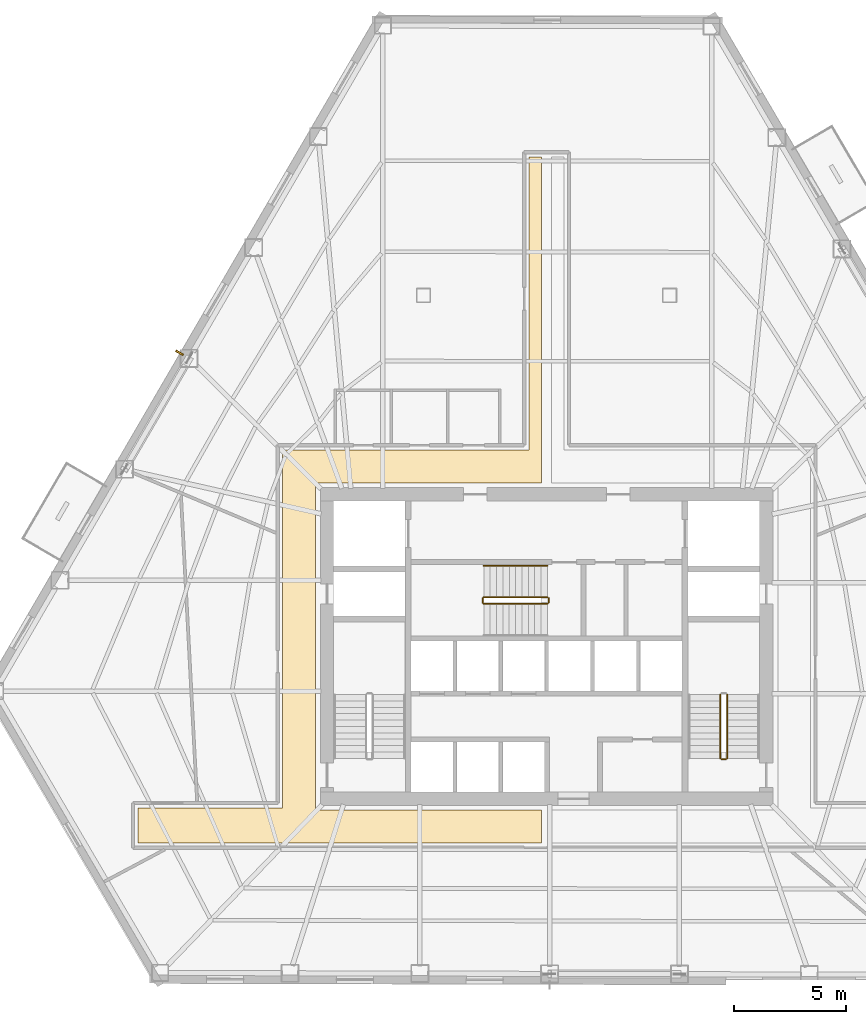
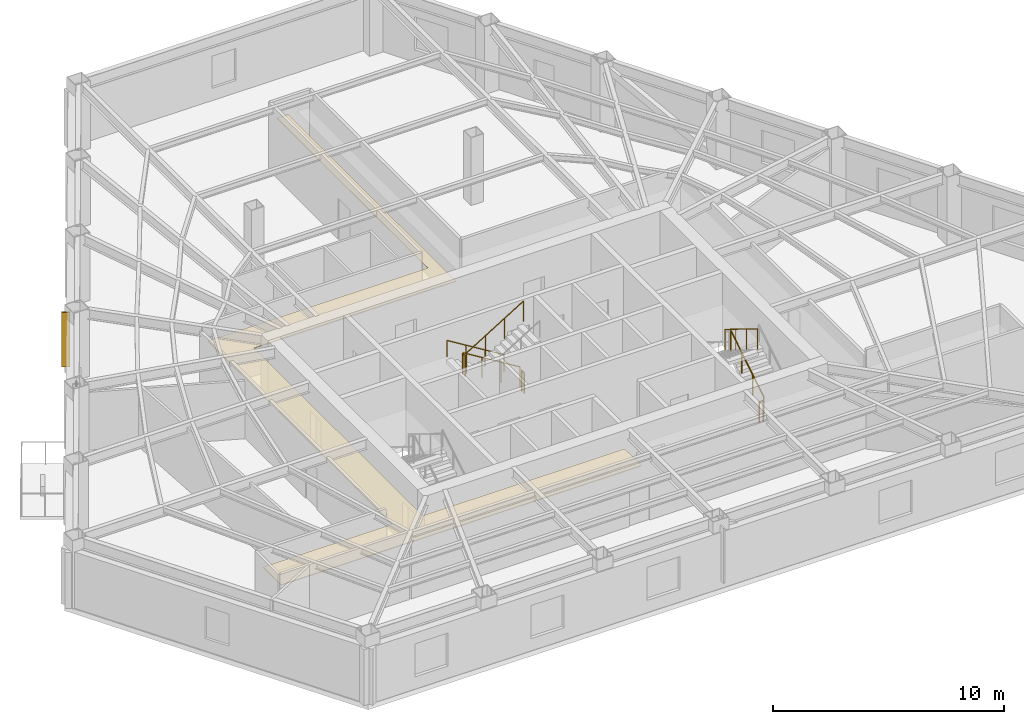
# One storey, part 10 of 11: 8 railings, 1 covering, 1 shading device.
"""IFC4 building model written with IfcOpenShell, lengths in metres."""

import ifcopenshell
import ifcopenshell.guid

model = None  # the IFC model being written
_history = None  # IfcOwnerHistory: only IFC2X3 demands one
_inside = {}  # id of a spatial element -> (the spatial element, [elements in it])
_under = {}  # id of a project, library or spatial element -> (it, [spatial elements below it])
_declared = {}  # id of a project -> (the project, [libraries it declares])
_typed = {}  # id of a type object -> (the type object, [elements of that type])
_made_of = {}  # id of a material, layer set ... -> (it, [elements and type objects made of it])


def new_model(schema):
    """Start an empty IFC model of exactly this schema.

    Asked for "IFC4X3", IfcOpenShell would pick the latest addendum, in which some entities
    have other attributes; the version numbers below select the first issue.
    IFC2X3 requires an IfcOwnerHistory on every rooted entity: one is made here for all.
    """
    global model, _history
    if schema == "IFC4X3":
        model = ifcopenshell.file(schema_version=(4, 3, 0, 0))
    else:
        model = ifcopenshell.file(schema=schema)
    _inside.clear()
    _under.clear()
    _declared.clear()
    _typed.clear()
    _made_of.clear()
    _history = None
    if model.schema == "IFC2X3":
        org = make("IfcOrganization", Name="unknown")
        user = make(
            "IfcPersonAndOrganization",
            ThePerson=make("IfcPerson", FamilyName="unknown"),
            TheOrganization=org,
        )
        app = make(
            "IfcApplication",
            ApplicationDeveloper=org,
            Version="unknown",
            ApplicationFullName="unknown",
            ApplicationIdentifier="unknown",
        )
        _history = make(
            "IfcOwnerHistory",
            OwningUser=user,
            OwningApplication=app,
            ChangeAction="ADDED",
            CreationDate=0,
        )
    return model


def make(cls, **values):
    """One entity of the class cls with the attributes given. An attribute that is None is left unset."""
    return model.create_entity(
        cls, **{name: value for name, value in values.items() if value is not None}
    )


def rooted(cls, **values):
    """An entity with a GlobalId (a new one), such as an element, a storey or a relation."""
    return make(cls, GlobalId=ifcopenshell.guid.new(), OwnerHistory=_history, **values)


def si_unit(unit_type, name, prefix=None):
    """IfcSIUnit, for example si_unit("LENGTHUNIT", "METRE", prefix="MILLI")."""
    return make("IfcSIUnit", UnitType=unit_type, Prefix=prefix, Name=name)


def assignment(units):
    """IfcUnitAssignment: the units of a project."""
    return None if units is None else make("IfcUnitAssignment", Units=units)


def point(xyz):
    """IfcCartesianPoint."""
    return None if xyz is None else make("IfcCartesianPoint", Coordinates=xyz)


def direction(xyz):
    """IfcDirection."""
    return None if xyz is None else make("IfcDirection", DirectionRatios=xyz)


def frame(location, z_axis=None, x_axis=None):
    """IfcAxis2Placement3D, a coordinate frame: its origin and axes. An axis left out is left unset."""
    return make(
        "IfcAxis2Placement3D",
        Location=point(location),
        Axis=direction(z_axis),
        RefDirection=direction(x_axis),
    )


def frame_2d(location, x_axis=None):
    """IfcAxis2Placement2D, a coordinate frame in the plane: its origin and x axis."""
    return make(
        "IfcAxis2Placement2D", Location=point(location), RefDirection=direction(x_axis)
    )


def origin():
    """The frame at (0, 0, 0) with its axes left unset."""
    return frame((0.0, 0.0, 0.0))


def origin_2d():
    """The frame at (0, 0) in the plane with its x axis left unset."""
    return frame_2d((0.0, 0.0))


def place(relative_to, where):
    """IfcLocalPlacement: puts the frame where relative to a parent placement (None: the world)."""
    return make(
        "IfcLocalPlacement", PlacementRelTo=relative_to, RelativePlacement=where
    )


def context(
    kind, dimensions, precision=None, world=None, true_north=None, identifier=None
):
    """IfcGeometricRepresentationContext, for example the 3D "Model" context."""
    return make(
        "IfcGeometricRepresentationContext",
        ContextIdentifier=identifier,
        ContextType=kind,
        CoordinateSpaceDimension=dimensions,
        Precision=precision,
        WorldCoordinateSystem=world,
        TrueNorth=true_north,
    )


def subcontext(parent, identifier, kind, view, scale=None):
    """IfcGeometricRepresentationSubContext, for example "Body" below "Model"."""
    return make(
        "IfcGeometricRepresentationSubContext",
        ContextIdentifier=identifier,
        ContextType=kind,
        ParentContext=parent,
        TargetScale=scale,
        TargetView=view,
    )


def project(units=None, contexts=None):
    """IfcProject with its units and contexts."""
    return rooted(
        "IfcProject",
        Name="project",
        RepresentationContexts=contexts,
        UnitsInContext=assignment(units),
    )


def spatial(cls, under=None, at=None, **own):
    """A site, building, storey or space (cls), placed at a placement, below another one or the project."""
    s = rooted(cls, ObjectPlacement=at, **own)
    if under is not None:
        _under.setdefault(under.id(), (under, []))[1].append(s)
    return s


def polyline(points):
    """IfcPolyline through the points."""
    return make("IfcPolyline", Points=[point(p) for p in points])


def profile(cls, at=None, kind="AREA", **sizes):
    """A parametric profile (cls). Its sizes go by their IFC names, for example OverallWidth=200.0."""
    return make(cls, ProfileType=kind, Position=at, **sizes)


def rectangle(**sizes):
    """IfcRectangleProfileDef."""
    return profile("IfcRectangleProfileDef", **sizes)


def circle(**sizes):
    """IfcCircleProfileDef."""
    return profile("IfcCircleProfileDef", **sizes)


def outline(outer, holes=None, kind="AREA"):
    """IfcArbitraryClosedProfileDef: a profile drawn as a closed curve; with holes, ...WithVoids."""
    if holes is None:
        return make("IfcArbitraryClosedProfileDef", ProfileType=kind, OuterCurve=outer)
    return make(
        "IfcArbitraryProfileDefWithVoids",
        ProfileType=kind,
        OuterCurve=outer,
        InnerCurves=holes,
    )


def extrude(swept, where, along, depth):
    """IfcExtrudedAreaSolid: the profile swept, set in the frame where, extruded along a direction by depth."""
    return make(
        "IfcExtrudedAreaSolid",
        SweptArea=swept,
        Position=where,
        ExtrudedDirection=direction(along),
        Depth=depth,
    )


def shape(context_of_items, identifier, shape_type, items):
    """IfcShapeRepresentation: the items that make up one representation, for example the "Body"."""
    return make(
        "IfcShapeRepresentation",
        ContextOfItems=context_of_items,
        RepresentationIdentifier=identifier,
        RepresentationType=shape_type,
        Items=items,
    )


def material(Name=None, Category=None):
    """IfcMaterial."""
    return make("IfcMaterial", Name=Name, Category=Category)


def layer(
    of_material, thickness, ventilated=None, Name=None, Category=None, Priority=None
):
    """IfcMaterialLayer: one layer of a wall or slab, of a material (None: an air gap)."""
    return make(
        "IfcMaterialLayer",
        Material=of_material,
        LayerThickness=thickness,
        IsVentilated=ventilated,
        Name=Name,
        Category=Category,
        Priority=Priority,
    )


def layer_set(layers, Name=None):
    """IfcMaterialLayerSet."""
    return make("IfcMaterialLayerSet", MaterialLayers=layers, LayerSetName=Name)


def made_of(thing, what):
    """Note that an element or type object is made of a material, layer set ...; save() writes the relation."""
    if what is not None:
        _made_of.setdefault(what.id(), (what, []))[1].append(thing)
    return thing


def type_object(cls, material=None, **own):
    """A type object (cls), such as IfcWallType, which elements share."""
    return made_of(rooted(cls, **own), material)


def element(
    cls,
    number,
    at=None,
    inside=None,
    cuts=None,
    type_object=None,
    material=None,
    context=None,
    identifier="Body",
    shape_type=None,
    held_by="IfcProductDefinitionShape",
    body=None,
    shapes=None,
    **own,
):
    """One element of the class cls, such as IfcWall. Its Tag is "e" and its number.

    at: its placement. inside: the storey or other place that contains it. cuts: it is an
    opening in that element (IfcRelVoidsElement). A single representation is given by context,
    identifier, shape_type and body (its items); several are given by shapes. held_by: the class
    of the entity that holds the representations. save() writes the other relations.
    """
    e = rooted(cls, Tag="e%d" % number, ObjectPlacement=at, **own)
    if body is not None:
        shapes = [shape(context, identifier, shape_type, body)]
    if shapes is not None:
        e.Representation = make(held_by, Representations=shapes)
    if inside is not None:
        _inside.setdefault(inside.id(), (inside, []))[1].append(e)
    if cuts is not None:
        rooted(
            "IfcRelVoidsElement", RelatingBuildingElement=cuts, RelatedOpeningElement=e
        )
    if type_object is not None:
        _typed.setdefault(type_object.id(), (type_object, []))[1].append(e)
    return made_of(e, material)


def aggregate(whole, parts):
    """IfcRelAggregates: a whole, such as a stair, and the parts it consists of."""
    return rooted("IfcRelAggregates", RelatingObject=whole, RelatedObjects=parts)


def save(model, path):
    """Write the relations noted so far, then the file.

    IfcRelAggregates (storeys below a building ...), IfcRelContainedInSpatialStructure (elements
    in a storey), IfcRelDefinesByType, IfcRelAssociatesMaterial and IfcRelDeclares: one each for
    every whole, place, type object, material and project.
    """
    for whole, parts in _under.values():
        aggregate(whole, parts)
    for where, things in _inside.values():
        rooted(
            "IfcRelContainedInSpatialStructure",
            RelatedElements=things,
            RelatingStructure=where,
        )
    for kind, things in _typed.values():
        rooted("IfcRelDefinesByType", RelatedObjects=things, RelatingType=kind)
    for what, things in _made_of.values():
        rooted("IfcRelAssociatesMaterial", RelatedObjects=things, RelatingMaterial=what)
    for by, libraries in _declared.values():
        rooted("IfcRelDeclares", RelatingContext=by, RelatedDefinitions=libraries)
    model.write(path)


model = new_model("IFC4")

# Units and contexts
model_context = context("Model", 3, precision=1e-05, world=origin(), true_north=direction((0.0, 1.0)))
body_context = subcontext(model_context, "Body", "Model", "MODEL_VIEW")
ifc_project = project(units=[si_unit("LENGTHUNIT", "METRE"), si_unit("AREAUNIT", "SQUARE_METRE"), si_unit("VOLUMEUNIT", "CUBIC_METRE"), si_unit("PLANEANGLEUNIT", "RADIAN"), si_unit("MASSUNIT", "GRAM", prefix="KILO")], contexts=[model_context])

# Site, building, storey
site_placement = place(None, origin())
site = spatial("IfcSite", under=ifc_project, at=site_placement, CompositionType="ELEMENT")
building_placement = place(site_placement, origin())
building = spatial("IfcBuilding", under=site, at=building_placement, Name="Kavelnor Concourse Tower", CompositionType="ELEMENT")
storey_placement = place(building_placement, frame((0.0, 0.0, 56.050048828125)))
storey = spatial("IfcBuildingStorey", under=building, at=storey_placement, Name="L14", CompositionType="ELEMENT", Elevation=56.050048828125)

# Covering
ifc_material_1 = material(Name="Mineral fibre acoustic ceiling tile")
ifc_layer_1 = layer(ifc_material_1, 0.0400390625, Name="Mineral fibre acoustic ceiling tile")
ifc_layer_set_1 = layer_set([ifc_layer_1], Name="Mineral fibre acoustic ceiling tile")
covering_type = type_object("IfcCoveringType", Name="COV-CEILING-ACOUSTIC", PredefinedType="CEILING", material=ifc_layer_set_1)
covering_placement = place(storey_placement, frame((0.0, 0.0, 2.75)))
element("IfcCovering", 1, at=covering_placement, inside=storey, type_object=covering_type, Name="L14 Suspended Acoustic Ceiling", PredefinedType="CEILING", context=body_context, shape_type="SweptSolid", body=[
    extrude(outline(polyline([(37.219970703125, 37.97998046875), (37.77490234375, 37.97998046875), (37.77490234375, 23.419921875), (27.659912109375, 23.419921875), (27.659912109375, 8.780029296875), (37.77490234375, 8.780029296875), (37.77490234375, 7.320068359375), (19.727783203125, 7.320068359375), (19.727783203125, 8.8798828125), (26.199951171875, 8.8798828125), (26.199951171875, 24.8798828125), (37.219970703125, 24.8798828125), (37.219970703125, 37.97998046875)])), origin(), (0.0, 0.0, 1.0), 0.0400390625),
])

# Railings
ifc_material_2 = material(Name="Steel Grade 350", Category="steel")
railing_type_1 = type_object("IfcRailingType", Name="RLG-GUARD-1100", PredefinedType="GUARDRAIL", material=ifc_material_2)
railing_1_placement = place(storey_placement, frame((46.070068359375, 11.10009765625, 0.175048828125)))
element("IfcRailing", 2, at=railing_1_placement, inside=storey, type_object=railing_type_1, Name="L14 ST2 stair guard 1", PredefinedType="GUARDRAIL", context=body_context, shape_type="SweptSolid", body=[
    extrude(circle(Radius=0.02392578125, at=origin_2d()), frame((0.0, 0.0, 1.076171875), z_axis=(0.0, 0.852159232446, 0.523282564737), x_axis=(-1.0, 0.0, 0.0)), (0.0, 0.0, 1.0), 3.34423828125),
    extrude(circle(Radius=0.02099609375, at=origin_2d()), origin(), (0.0, 0.0, 1.0), 1.052001953125),
    extrude(circle(Radius=0.02099609375, at=origin_2d()), frame((0.0, 0.949951171875, 0.583251953125)), (0.0, 0.0, 1.0), 1.052001953125),
    extrude(circle(Radius=0.02099609375, at=origin_2d()), frame((0.0, 1.89990234375, 1.166748046875)), (0.0, 0.0, 1.0), 1.052001953125),
    extrude(circle(Radius=0.02099609375, at=origin_2d()), frame((0.0, 2.849853515625, 1.75)), (0.0, 0.0, 1.0), 1.052001953125),
])
railing_2_placement = place(storey_placement, frame((45.77001953125, 13.949951171875, 2.099853515625)))
element("IfcRailing", 3, at=railing_2_placement, inside=storey, type_object=railing_type_1, Name="L14 ST2 stair guard 3", PredefinedType="GUARDRAIL", context=body_context, shape_type="SweptSolid", body=[
    extrude(circle(Radius=0.02392578125, at=origin_2d()), frame((0.0, 0.0, 1.076171875), z_axis=(0.0, -0.852159232446, 0.523282564737), x_axis=(1.0, 0.0, 0.0)), (0.0, 0.0, 1.0), 3.34423828125),
    extrude(circle(Radius=0.02099609375, at=origin_2d()), origin(), (0.0, 0.0, 1.0), 1.052001953125),
    extrude(circle(Radius=0.02099609375, at=origin_2d()), frame((0.0, -0.949951171875, 0.583251953125)), (0.0, 0.0, 1.0), 1.052001953125),
    extrude(circle(Radius=0.02099609375, at=origin_2d()), frame((0.0, -1.89990234375, 1.166748046875)), (0.0, 0.0, 1.0), 1.052001953125),
    extrude(circle(Radius=0.02099609375, at=origin_2d()), frame((0.0, -2.849853515625, 1.75)), (0.0, 0.0, 1.0), 1.052001953125),
])
railing_3_placement = place(storey_placement, frame((46.02001953125, 11.050048828125, 0.0)))
element("IfcRailing", 4, at=railing_3_placement, inside=storey, type_object=railing_type_1, Name="L14 ST2 stair guard 4", PredefinedType="GUARDRAIL", context=body_context, shape_type="SweptSolid", body=[
    extrude(circle(Radius=0.02392578125, at=origin_2d()), frame((0.0, 0.0, 1.076171875), z_axis=(-1.0, 0.0, 0.0), x_axis=(0.0, -1.0, 0.0)), (0.0, 0.0, 1.0), 0.199951171875),
    extrude(circle(Radius=0.02099609375, at=origin_2d()), origin(), (0.0, 0.0, 1.0), 1.052001953125),
    extrude(circle(Radius=0.02099609375, at=origin_2d()), frame((-0.199951171875, 0.0, 0.0)), (0.0, 0.0, 1.0), 1.052001953125),
])
railing_4_placement = place(storey_placement, frame((38.0400390625, 18.31005859375, 0.175048828125)))
element("IfcRailing", 5, at=railing_4_placement, inside=storey, type_object=railing_type_1, Name="L14 ST3 stair guard 1", PredefinedType="GUARDRAIL", context=body_context, shape_type="SweptSolid", body=[
    extrude(circle(Radius=0.02392578125, at=origin_2d()), frame((0.0, 0.0, 1.076171875), z_axis=(-0.852179220489, 0.0, 0.52325001306), x_axis=(0.0, -1.0, 0.0)), (0.0, 0.0, 1.0), 3.344482421875),
    extrude(circle(Radius=0.02099609375, at=origin_2d()), origin(), (0.0, 0.0, 1.0), 1.052001953125),
    extrude(circle(Radius=0.02099609375, at=origin_2d()), frame((-0.949951171875, 0.0, 0.583251953125)), (0.0, 0.0, 1.0), 1.052001953125),
    extrude(circle(Radius=0.02099609375, at=origin_2d()), frame((-1.900146484375, 0.0, 1.166748046875)), (0.0, 0.0, 1.0), 1.052001953125),
    extrude(circle(Radius=0.02099609375, at=origin_2d()), frame((-2.85009765625, 0.0, 1.75)), (0.0, 0.0, 1.0), 1.052001953125),
])
railing_5_placement = place(storey_placement, frame((35.139892578125, 18.260009765625, 1.925048828125)))
element("IfcRailing", 6, at=railing_5_placement, inside=storey, type_object=railing_type_1, Name="L14 ST3 stair guard 2", PredefinedType="GUARDRAIL", context=body_context, shape_type="SweptSolid", body=[
    extrude(circle(Radius=0.02392578125, at=origin_2d()), frame((0.0, 0.0, 1.076171875), z_axis=(0.0, -1.0, 0.0), x_axis=(1.0, 0.0, 0.0)), (0.0, 0.0, 1.0), 0.199951171875),
    extrude(circle(Radius=0.02099609375, at=origin_2d()), origin(), (0.0, 0.0, 1.0), 1.052001953125),
    extrude(circle(Radius=0.02099609375, at=origin_2d()), frame((0.0, -0.199951171875, 0.0)), (0.0, 0.0, 1.0), 1.052001953125),
])
railing_6_placement = place(storey_placement, frame((35.18994140625, 18.010009765625, 2.099853515625)))
element("IfcRailing", 7, at=railing_6_placement, inside=storey, type_object=railing_type_1, Name="L14 ST3 stair guard 3", PredefinedType="GUARDRAIL", context=body_context, shape_type="SweptSolid", body=[
    extrude(circle(Radius=0.02392578125, at=origin_2d()), frame((0.0, 0.0, 1.076171875), z_axis=(0.852179220489, 0.0, 0.52325001306), x_axis=(0.0, 1.0, 0.0)), (0.0, 0.0, 1.0), 3.344482421875),
    extrude(circle(Radius=0.02099609375, at=origin_2d()), origin(), (0.0, 0.0, 1.0), 1.052001953125),
    extrude(circle(Radius=0.02099609375, at=origin_2d()), frame((0.949951171875, 0.0, 0.583251953125)), (0.0, 0.0, 1.0), 1.052001953125),
    extrude(circle(Radius=0.02099609375, at=origin_2d()), frame((1.900146484375, 0.0, 1.166748046875)), (0.0, 0.0, 1.0), 1.052001953125),
    extrude(circle(Radius=0.02099609375, at=origin_2d()), frame((2.85009765625, 0.0, 1.75)), (0.0, 0.0, 1.0), 1.052001953125),
])
railing_7_placement = place(storey_placement, frame((38.090087890625, 18.260009765625, 0.0)))
element("IfcRailing", 8, at=railing_7_placement, inside=storey, type_object=railing_type_1, Name="L14 ST3 stair guard 4", PredefinedType="GUARDRAIL", context=body_context, shape_type="SweptSolid", body=[
    extrude(circle(Radius=0.02392578125, at=origin_2d()), frame((0.0, 0.0, 1.076171875), z_axis=(0.0, -1.0, 0.0), x_axis=(1.0, 0.0, 0.0)), (0.0, 0.0, 1.0), 0.199951171875),
    extrude(circle(Radius=0.02099609375, at=origin_2d()), origin(), (0.0, 0.0, 1.0), 1.052001953125),
    extrude(circle(Radius=0.02099609375, at=origin_2d()), frame((0.0, -0.199951171875, 0.0)), (0.0, 0.0, 1.0), 1.052001953125),
])
railing_type_2 = type_object("IfcRailingType", Name="RLG-HANDRAIL-900", PredefinedType="HANDRAIL", material=ifc_material_2)
railing_8_placement = place(storey_placement, frame((38.0400390625, 19.7099609375, 0.175048828125)))
element("IfcRailing", 9, at=railing_8_placement, inside=storey, type_object=railing_type_2, Name="L14 ST3 stair handrail 1", PredefinedType="HANDRAIL", context=body_context, shape_type="SweptSolid", body=[
    extrude(circle(Radius=0.02392578125, at=origin_2d()), frame((0.0, 0.0, 0.8759765625), z_axis=(-0.852179220489, 0.0, 0.52325001306), x_axis=(0.0, -1.0, 0.0)), (0.0, 0.0, 1.0), 3.344482421875),
    extrude(circle(Radius=0.02099609375, at=origin_2d()), origin(), (0.0, 0.0, 1.0), 0.851806640625),
    extrude(circle(Radius=0.02099609375, at=origin_2d()), frame((-0.949951171875, 0.0, 0.583251953125)), (0.0, 0.0, 1.0), 0.851806640625),
    extrude(circle(Radius=0.02099609375, at=origin_2d()), frame((-1.900146484375, 0.0, 1.166748046875)), (0.0, 0.0, 1.0), 0.851806640625),
    extrude(circle(Radius=0.02099609375, at=origin_2d()), frame((-2.85009765625, 0.0, 1.75)), (0.0, 0.0, 1.0), 0.851806640625),
])

# Shading device
ifc_material_3 = material(Name="Architectural bronze-anodised aluminium", Category="aluminium")
ifc_layer_2 = layer(ifc_material_3, 0.06005859375, Name="Architectural bronze-anodised aluminium")
ifc_layer_set_2 = layer_set([ifc_layer_2], Name="Architectural bronze-anodised aluminium")
shading_device_type = type_object("IfcShadingDeviceType", Name="SHD-SOLAR-FIN", PredefinedType="JALOUSIE", material=ifc_layer_set_2)
shading_device_placement = place(storey_placement, frame((21.5888671875, 29.22998046875, 0.39990234375), z_axis=(0.0, 0.0, 1.0), x_axis=(-0.864099162217, 0.503321604797, 0.0)))
element("IfcShadingDevice", 10, at=shading_device_placement, inside=storey, type_object=shading_device_type, Name="L14 Bronze Pier Solar Fin F0", PredefinedType="JALOUSIE", context=body_context, shape_type="SweptSolid", body=[
    extrude(rectangle(XDim=0.3798828125, YDim=0.080078125, at=origin_2d()), origin(), (0.0, 0.0, 1.0), 2.89990234375),
])

save(model, "model.ifc")
